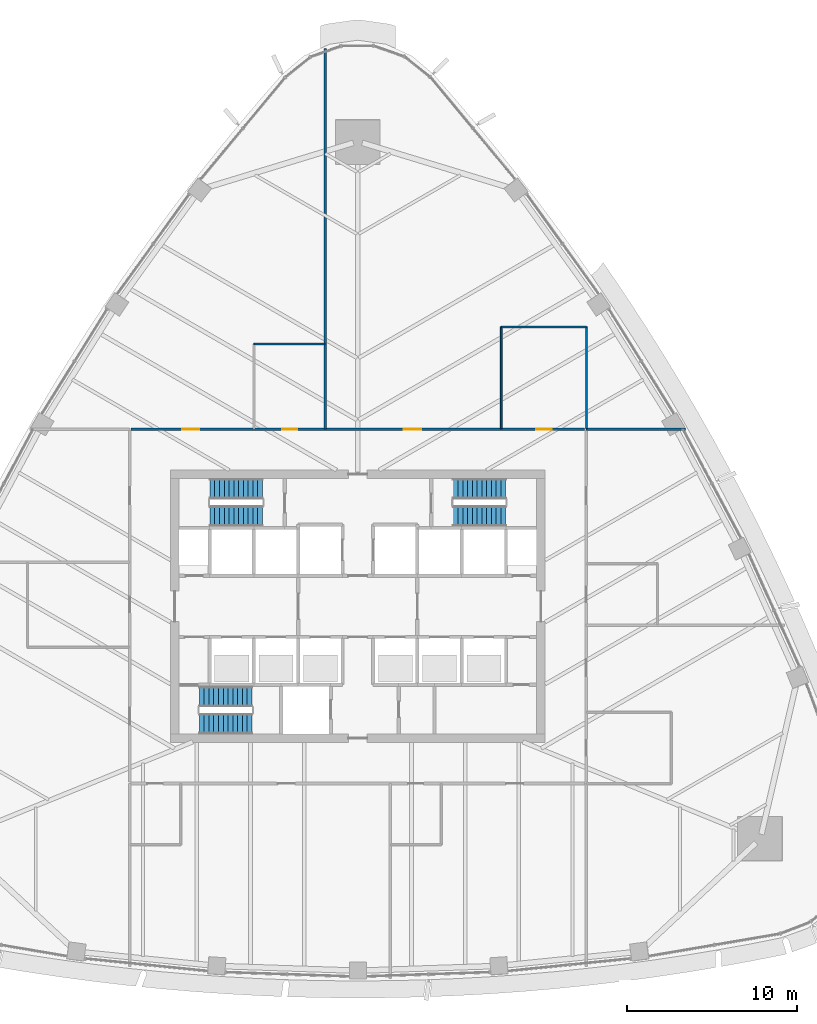
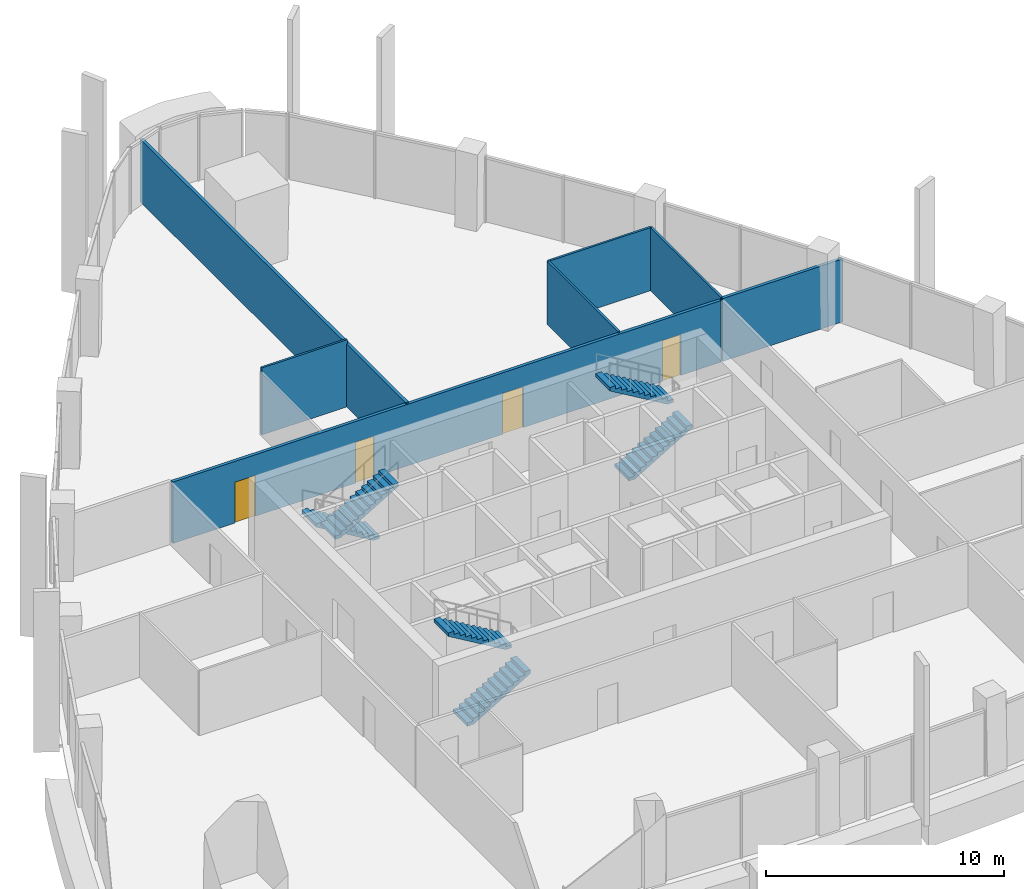
# One storey, part 12 of 19: 7 walls, 6 stair flights, 4 doors, 4 openings, 3 elements without a shape of their own.
"""IFC4 building model written with IfcOpenShell, lengths in metres."""

from ifc_helpers import new_model, si_unit, direction, frame, frame_2d, origin, place, context, subcontext, project, spatial, polyline, rectangle, outline, extrude, material, layer, layer_set, type_object, element, fill, aggregate, save


model = new_model("IFC4")

# Units and contexts
model_context = context("Model", 3, precision=1e-05, world=origin(), true_north=direction((0.0, 1.0)))
body_context = subcontext(model_context, "Body", "Model", "MODEL_VIEW")
ifc_project = project(units=[si_unit("LENGTHUNIT", "METRE"), si_unit("AREAUNIT", "SQUARE_METRE"), si_unit("VOLUMEUNIT", "CUBIC_METRE"), si_unit("PLANEANGLEUNIT", "RADIAN"), si_unit("MASSUNIT", "GRAM", prefix="KILO")], contexts=[model_context])

# Site, building, storey
site_placement = place(None, origin())
site = spatial("IfcSite", under=ifc_project, at=site_placement, CompositionType="ELEMENT")
building_placement = place(site_placement, origin())
building = spatial("IfcBuilding", under=site, at=building_placement, Name="Sierra Prisma Convention Tower", CompositionType="ELEMENT")
storey_placement = place(building_placement, frame((0.0, 0.0, 177.800048828125)))
storey = spatial("IfcBuildingStorey", under=building, at=storey_placement, Name="L39", CompositionType="ELEMENT", Elevation=177.800048828125)

# Walls
ifc_material_1 = material(Name="Gypsum board partition", Category="gypsum")
ifc_layer_1 = layer(ifc_material_1, 0.10009765625)
ifc_layer_set_1 = layer_set([ifc_layer_1], Name="Bathroom partition 100")
wall_type_1 = type_object("IfcWallType", Name="Bathroom partition 100", PredefinedType="PARTITIONING", material=ifc_layer_set_1)
wall_1_placement = place(storey_placement, frame((-6.10009765625, 15.39990234375, 0.0), z_axis=(0.0, 0.0, 1.0), x_axis=(1.0, 0.0, 0.0)))
element("IfcWall", 1, at=wall_1_placement, inside=storey, type_object=wall_type_1, Name="Partition L39 bath 6", PredefinedType="PARTITIONING", context=body_context, shape_type="SweptSolid", body=[
    extrude(rectangle(XDim=4.170166015625, YDim=0.10009765625, at=frame_2d((2.0849609375, 0.0))), origin(), (0.0, 0.0, 1.0), 3.449951171875),
])
wall_2_placement = place(storey_placement, frame((8.419921875, 10.429931640625, 0.0), z_axis=(0.0, 0.0, 1.0), x_axis=(0.0, 1.0, 0.0)))
element("IfcWall", 2, at=wall_2_placement, inside=storey, type_object=wall_type_1, Name="Partition L39 bath 9", PredefinedType="PARTITIONING", context=body_context, shape_type="SweptSolid", body=[
    extrude(rectangle(XDim=5.969970703125, YDim=0.10009765625, at=frame_2d((2.98486328125, 0.0))), origin(), (0.0, 0.0, 1.0), 3.2470703125),
])
wall_3_placement = place(storey_placement, frame((8.419921875, 16.39990234375, 0.0), z_axis=(0.0, 0.0, 1.0), x_axis=(1.0, 0.0, 0.0)))
element("IfcWall", 3, at=wall_3_placement, inside=storey, type_object=wall_type_1, Name="Partition L39 bath 10", PredefinedType="PARTITIONING", context=body_context, shape_type="SweptSolid", body=[
    extrude(rectangle(XDim=5.0, YDim=0.10009765625, at=frame_2d((2.5, 0.0))), origin(), (0.0, 0.0, 1.0), 3.2470703125),
])
wall_4_placement = place(storey_placement, frame((13.419921875, 16.39990234375, 0.0), z_axis=(0.0, 0.0, 1.0), x_axis=(0.0, -1.0, 0.0)))
element("IfcWall", 4, at=wall_4_placement, inside=storey, type_object=wall_type_1, Name="Partition L39 bath 11", PredefinedType="PARTITIONING", context=body_context, shape_type="SweptSolid", body=[
    extrude(rectangle(XDim=5.969970703125, YDim=0.10009765625, at=frame_2d((2.98486328125, 0.0))), origin(), (0.0, 0.0, 1.0), 3.2470703125),
])

# Wall, openings, doors
ifc_material_2 = material(Name="Gypsum board partition", Category="gypsum")
ifc_layer_2 = layer(ifc_material_2, 0.14990234375)
ifc_layer_set_2 = layer_set([ifc_layer_2], Name="Corridor wall 150 gypsum EI 60")
wall_type_2 = type_object("IfcWallType", Name="Corridor wall 150 gypsum EI 60", PredefinedType="PARTITIONING", material=ifc_layer_set_2)
wall_5_placement = place(storey_placement, frame((13.320068359375, 10.39990234375, 0.0), z_axis=(0.0, 0.0, 1.0), x_axis=(-1.0, 0.0, 0.0)))
wall_5 = element("IfcWall", 5, at=wall_5_placement, inside=storey, type_object=wall_type_2, Name="Partition L39 corr 3", PredefinedType="PARTITIONING", context=body_context, shape_type="SweptSolid", body=[
    extrude(rectangle(XDim=26.64013671875, YDim=0.14990234375, at=frame_2d((13.320068359375, 0.0))), origin(), (0.0, 0.0, 1.0), 3.166015625),
])
opening_1_placement = place(wall_5_placement, frame((1.949951171875, 0.0, 0.0)))
opening_1 = element("IfcOpeningElement", 6, at=opening_1_placement, cuts=wall_5, Name="Opening L39-D025", PredefinedType="OPENING", context=body_context, shape_type="SweptSolid", body=[
    extrude(rectangle(XDim=0.89990234375, YDim=2.10009765625, at=frame_2d((0.449951171875, 1.050048828125))), frame((0.0, 0.074951171875, 0.0), z_axis=(0.0, -1.0, 0.0), x_axis=(1.0, 0.0, 0.0)), (0.0, 0.0, 1.0), 0.14990234375),
])
opening_2_placement = place(wall_5_placement, frame((9.610107421875, 0.0, 0.0)))
opening_2 = element("IfcOpeningElement", 7, at=opening_2_placement, cuts=wall_5, Name="Opening L39-D026", PredefinedType="OPENING", context=body_context, shape_type="SweptSolid", body=[
    extrude(rectangle(XDim=1.0, YDim=2.10009765625, at=frame_2d((0.5, 1.050048828125))), frame((0.0, 0.074951171875, 0.0), z_axis=(0.0, -1.0, 0.0), x_axis=(1.0, 0.0, 0.0)), (0.0, 0.0, 1.0), 0.14990234375),
])
opening_3_placement = place(wall_5_placement, frame((16.8701171875, 0.0, 0.0)))
opening_3 = element("IfcOpeningElement", 8, at=opening_3_placement, cuts=wall_5, Name="Opening L39-D027", PredefinedType="OPENING", context=body_context, shape_type="SweptSolid", body=[
    extrude(rectangle(XDim=0.89990234375, YDim=2.10009765625, at=frame_2d((0.449951171875, 1.050048828125))), frame((0.0, 0.074951171875, 0.0), z_axis=(0.0, -1.0, 0.0), x_axis=(1.0, 0.0, 0.0)), (0.0, 0.0, 1.0), 0.14990234375),
])
opening_4_placement = place(wall_5_placement, frame((22.6298828125, 0.0, 0.0)))
opening_4 = element("IfcOpeningElement", 9, at=opening_4_placement, cuts=wall_5, Name="Opening L39-D028", PredefinedType="OPENING", context=body_context, shape_type="SweptSolid", body=[
    extrude(rectangle(XDim=1.0, YDim=2.10009765625, at=frame_2d((0.5, 1.050048828125))), frame((0.0, 0.074951171875, 0.0), z_axis=(0.0, -1.0, 0.0), x_axis=(1.0, 0.0, 0.0)), (0.0, 0.0, 1.0), 0.14990234375),
])
ifc_material_3 = material(Name="Steel fire door leaf", Category="steel")
door_type_1 = type_object("IfcDoorType", Name="Door 1000x2100 FD30S", OperationType="SINGLE_SWING_LEFT", PredefinedType="DOOR", material=ifc_material_3)
door_1_placement = place(opening_2_placement, origin())
door_1 = element("IfcDoor", 10, at=door_1_placement, inside=storey, type_object=door_type_1, Name="Door L39 4", OperationType="SINGLE_SWING_LEFT", OverallHeight=2.10009765625, OverallWidth=1.0, PredefinedType="DOOR", context=body_context, shape_type="SweptSolid", body=[
    extrude(rectangle(XDim=1.0, YDim=2.10009765625, at=frame_2d((0.5, 1.050048828125))), frame((0.0, 0.02490234375, 0.0), z_axis=(0.0, -1.0, 0.0), x_axis=(1.0, 0.0, 0.0)), (0.0, 0.0, 1.0), 0.050048828125),
])
fill(opening_2, door_1)
door_2_placement = place(opening_4_placement, origin())
door_2 = element("IfcDoor", 11, at=door_2_placement, inside=storey, type_object=door_type_1, Name="Door L39 6", OperationType="SINGLE_SWING_LEFT", OverallHeight=2.10009765625, OverallWidth=1.0, PredefinedType="DOOR", context=body_context, shape_type="SweptSolid", body=[
    extrude(rectangle(XDim=1.0, YDim=2.10009765625, at=frame_2d((0.5, 1.050048828125))), frame((0.0, 0.02490234375, 0.0), z_axis=(0.0, -1.0, 0.0), x_axis=(1.0, 0.0, 0.0)), (0.0, 0.0, 1.0), 0.050048828125),
])
fill(opening_4, door_2)
ifc_material_4 = material(Name="Steel fire door leaf", Category="steel")
door_type_2 = type_object("IfcDoorType", Name="Door 900x2100 FD30S", OperationType="SINGLE_SWING_LEFT", PredefinedType="DOOR", material=ifc_material_4)
door_3_placement = place(opening_1_placement, origin())
door_3 = element("IfcDoor", 12, at=door_3_placement, inside=storey, type_object=door_type_2, Name="Door L39 3", OperationType="SINGLE_SWING_LEFT", OverallHeight=2.10009765625, OverallWidth=0.89990234375, PredefinedType="DOOR", context=body_context, shape_type="SweptSolid", body=[
    extrude(rectangle(XDim=0.89990234375, YDim=2.10009765625, at=frame_2d((0.449951171875, 1.050048828125))), frame((0.0, 0.02490234375, 0.0), z_axis=(0.0, -1.0, 0.0), x_axis=(1.0, 0.0, 0.0)), (0.0, 0.0, 1.0), 0.050048828125),
])
fill(opening_1, door_3)
door_4_placement = place(opening_3_placement, origin())
door_4 = element("IfcDoor", 13, at=door_4_placement, inside=storey, type_object=door_type_2, Name="Door L39 5", OperationType="SINGLE_SWING_RIGHT", OverallHeight=2.10009765625, OverallWidth=0.89990234375, PredefinedType="DOOR", context=body_context, shape_type="SweptSolid", body=[
    extrude(rectangle(XDim=0.89990234375, YDim=2.10009765625, at=frame_2d((0.449951171875, 1.050048828125))), frame((0.0, 0.02490234375, 0.0), z_axis=(0.0, -1.0, 0.0), x_axis=(1.0, 0.0, 0.0)), (0.0, 0.0, 1.0), 0.050048828125),
])
fill(opening_3, door_4)

# Walls
ifc_material_5 = material(Name="Gypsum board partition", Category="gypsum")
ifc_layer_3 = layer(ifc_material_5, 0.14990234375)
ifc_layer_set_3 = layer_set([ifc_layer_3], Name="Party wall 150 gypsum")
wall_type_3 = type_object("IfcWallType", Name="Party wall 150 gypsum", PredefinedType="PARTITIONING", material=ifc_layer_set_3)
wall_6_placement = place(storey_placement, frame((-1.89990234375, 10.39990234375, 0.0), z_axis=(0.0, 0.0, 1.0), x_axis=(0.0, 1.0, 0.0)))
element("IfcWall", 14, at=wall_6_placement, inside=storey, type_object=wall_type_3, Name="Partition L39 party 4", PredefinedType="PARTITIONING", context=body_context, shape_type="SweptSolid", body=[
    extrude(rectangle(XDim=22.35693359375, YDim=0.14990234375, at=frame_2d((11.178466796875, 0.0))), origin(), (0.0, 0.0, 1.0), 3.23388671875),
])
wall_7_placement = place(storey_placement, frame((13.39990234375, 10.39990234375, 0.0), z_axis=(0.0, 0.0, 1.0), x_axis=(1.0, 0.0, 0.0)))
element("IfcWall", 15, at=wall_7_placement, inside=storey, type_object=wall_type_3, Name="Partition L39 party 8", PredefinedType="PARTITIONING", context=body_context, shape_type="SweptSolid", body=[
    extrude(rectangle(XDim=5.84521484375, YDim=0.14990234375, at=frame_2d((2.922607421875, 0.0))), origin(), (0.0, 0.0, 1.0), 3.23388671875),
])

# Stair, stair flights
ifc_material_6 = material(Name="Concrete C30/37", Category="concrete")
stair_type = type_object("IfcStairType", Name="Stair dog-leg 1200 RC", PredefinedType="HALF_TURN_STAIR", material=ifc_material_6)
stair_1_placement = place(storey_placement, origin())
stair_1 = element("IfcStair", 16, at=stair_1_placement, inside=storey, type_object=stair_type, Name="L39 S1", PredefinedType="HALF_TURN_STAIR")
ifc_material_7 = material(Name="Concrete C30/37", Category="concrete")
stair_flight_type = type_object("IfcStairFlightType", Name="Stair flight RC 1200", PredefinedType="STRAIGHT", material=ifc_material_7)
stair_flight_1_placement = place(storey_placement, frame((-9.300048828125, -6.89990234375, 0.0), z_axis=(0.0, 0.0, 1.0), x_axis=(1.0, 0.0, 0.0)))
stair_flight_1 = element("IfcStairFlight", 17, at=stair_flight_1_placement, type_object=stair_flight_type, Name="S1 flight 1", NumberOfRisers=12, NumberOfTreads=11, PredefinedType="STRAIGHT", RiserHeight=0.166666667, TreadLength=0.28, context=body_context, shape_type="SweptSolid", body=[
    extrude(outline(polyline([(0.0, 0.0), (0.0, 0.166748046875), (0.280029296875, 0.166748046875), (0.280029296875, 0.333251953125), (0.56005859375, 0.333251953125), (0.56005859375, 0.5), (0.840087890625, 0.5), (0.840087890625, 0.666748046875), (1.1201171875, 0.666748046875), (1.1201171875, 0.833251953125), (1.39990234375, 0.833251953125), (1.39990234375, 1.0), (1.679931640625, 1.0), (1.679931640625, 1.166748046875), (1.9599609375, 1.166748046875), (1.9599609375, 1.333251953125), (2.239990234375, 1.333251953125), (2.239990234375, 1.5), (2.52001953125, 1.5), (2.52001953125, 1.666748046875), (2.800048828125, 1.666748046875), (2.800048828125, 1.833251953125), (3.080078125, 1.833251953125), (3.080078125, 2.0), (3.080078125, 1.658935546875), (0.29296875, 0.0), (0.0, 0.0)])), frame((0.0, 0.60009765625, 0.0), z_axis=(0.0, -1.0, 0.0), x_axis=(1.0, 0.0, 0.0)), (0.0, 0.0, 1.0), 1.199951171875),
])
stair_flight_2_placement = place(storey_placement, frame((-6.219970703125, -5.300048828125, 2.0), z_axis=(0.0, 0.0, 1.0), x_axis=(-1.0, 0.0, 0.0)))
stair_flight_2 = element("IfcStairFlight", 18, at=stair_flight_2_placement, type_object=stair_flight_type, Name="S1 flight 2", NumberOfRisers=12, NumberOfTreads=11, PredefinedType="STRAIGHT", RiserHeight=0.166666667, TreadLength=0.28, context=body_context, shape_type="SweptSolid", body=[
    extrude(outline(polyline([(0.0, 0.0), (0.0, 0.166748046875), (0.280029296875, 0.166748046875), (0.280029296875, 0.333251953125), (0.56005859375, 0.333251953125), (0.56005859375, 0.5), (0.840087890625, 0.5), (0.840087890625, 0.666748046875), (1.1201171875, 0.666748046875), (1.1201171875, 0.833251953125), (1.39990234375, 0.833251953125), (1.39990234375, 1.0), (1.679931640625, 1.0), (1.679931640625, 1.166748046875), (1.9599609375, 1.166748046875), (1.9599609375, 1.333251953125), (2.239990234375, 1.333251953125), (2.239990234375, 1.5), (2.52001953125, 1.5), (2.52001953125, 1.666748046875), (2.800048828125, 1.666748046875), (2.800048828125, 1.833251953125), (3.080078125, 1.833251953125), (3.080078125, 2.0), (3.080078125, 1.658935546875), (0.29296875, 0.0), (0.0, 0.0)])), frame((0.0, 0.60009765625, 0.0), z_axis=(0.0, -1.0, 0.0), x_axis=(1.0, 0.0, 0.0)), (0.0, 0.0, 1.0), 1.199951171875),
])
aggregate(stair_1, [stair_flight_1, stair_flight_2])

stair_2_placement = place(storey_placement, origin())
stair_2 = element("IfcStair", 19, at=stair_2_placement, inside=storey, type_object=stair_type, Name="L39 S3", PredefinedType="HALF_TURN_STAIR")
stair_flight_3_placement = place(storey_placement, frame((-5.60009765625, 6.89990234375, 0.0), z_axis=(0.0, 0.0, 1.0), x_axis=(-1.0, 0.0, 0.0)))
stair_flight_3 = element("IfcStairFlight", 20, at=stair_flight_3_placement, type_object=stair_flight_type, Name="S3 flight 1", NumberOfRisers=12, NumberOfTreads=11, PredefinedType="STRAIGHT", RiserHeight=0.166666667, TreadLength=0.28, context=body_context, shape_type="SweptSolid", body=[
    extrude(outline(polyline([(0.0, 0.0), (0.0, 0.166748046875), (0.280029296875, 0.166748046875), (0.280029296875, 0.333251953125), (0.56005859375, 0.333251953125), (0.56005859375, 0.5), (0.840087890625, 0.5), (0.840087890625, 0.666748046875), (1.1201171875, 0.666748046875), (1.1201171875, 0.833251953125), (1.39990234375, 0.833251953125), (1.39990234375, 1.0), (1.679931640625, 1.0), (1.679931640625, 1.166748046875), (1.9599609375, 1.166748046875), (1.9599609375, 1.333251953125), (2.239990234375, 1.333251953125), (2.239990234375, 1.5), (2.52001953125, 1.5), (2.52001953125, 1.666748046875), (2.800048828125, 1.666748046875), (2.800048828125, 1.833251953125), (3.080078125, 1.833251953125), (3.080078125, 2.0), (3.080078125, 1.658935546875), (0.29296875, 0.0), (0.0, 0.0)])), frame((0.0, 0.60009765625, 0.0), z_axis=(0.0, -1.0, 0.0), x_axis=(1.0, 0.0, 0.0)), (0.0, 0.0, 1.0), 1.199951171875),
])
stair_flight_4_placement = place(storey_placement, frame((-8.679931640625, 5.300048828125, 2.0), z_axis=(0.0, 0.0, 1.0), x_axis=(1.0, 0.0, 0.0)))
stair_flight_4 = element("IfcStairFlight", 21, at=stair_flight_4_placement, type_object=stair_flight_type, Name="S3 flight 2", NumberOfRisers=12, NumberOfTreads=11, PredefinedType="STRAIGHT", RiserHeight=0.166666667, TreadLength=0.28, context=body_context, shape_type="SweptSolid", body=[
    extrude(outline(polyline([(0.0, 0.0), (0.0, 0.166748046875), (0.280029296875, 0.166748046875), (0.280029296875, 0.333251953125), (0.56005859375, 0.333251953125), (0.56005859375, 0.5), (0.840087890625, 0.5), (0.840087890625, 0.666748046875), (1.1201171875, 0.666748046875), (1.1201171875, 0.833251953125), (1.39990234375, 0.833251953125), (1.39990234375, 1.0), (1.679931640625, 1.0), (1.679931640625, 1.166748046875), (1.9599609375, 1.166748046875), (1.9599609375, 1.333251953125), (2.239990234375, 1.333251953125), (2.239990234375, 1.5), (2.52001953125, 1.5), (2.52001953125, 1.666748046875), (2.800048828125, 1.666748046875), (2.800048828125, 1.833251953125), (3.080078125, 1.833251953125), (3.080078125, 2.0), (3.080078125, 1.658935546875), (0.29296875, 0.0), (0.0, 0.0)])), frame((0.0, 0.60009765625, 0.0), z_axis=(0.0, -1.0, 0.0), x_axis=(1.0, 0.0, 0.0)), (0.0, 0.0, 1.0), 1.199951171875),
])
aggregate(stair_2, [stair_flight_3, stair_flight_4])

stair_3_placement = place(storey_placement, origin())
stair_3 = element("IfcStair", 22, at=stair_3_placement, inside=storey, type_object=stair_type, Name="L39 S4", PredefinedType="HALF_TURN_STAIR")
stair_flight_5_placement = place(storey_placement, frame((5.60009765625, 5.300048828125, 0.0), z_axis=(0.0, 0.0, 1.0), x_axis=(1.0, 0.0, 0.0)))
stair_flight_5 = element("IfcStairFlight", 23, at=stair_flight_5_placement, type_object=stair_flight_type, Name="S4 flight 1", NumberOfRisers=12, NumberOfTreads=11, PredefinedType="STRAIGHT", RiserHeight=0.166666667, TreadLength=0.28, context=body_context, shape_type="SweptSolid", body=[
    extrude(outline(polyline([(0.0, 0.0), (0.0, 0.166748046875), (0.280029296875, 0.166748046875), (0.280029296875, 0.333251953125), (0.56005859375, 0.333251953125), (0.56005859375, 0.5), (0.840087890625, 0.5), (0.840087890625, 0.666748046875), (1.1201171875, 0.666748046875), (1.1201171875, 0.833251953125), (1.39990234375, 0.833251953125), (1.39990234375, 1.0), (1.679931640625, 1.0), (1.679931640625, 1.166748046875), (1.9599609375, 1.166748046875), (1.9599609375, 1.333251953125), (2.239990234375, 1.333251953125), (2.239990234375, 1.5), (2.52001953125, 1.5), (2.52001953125, 1.666748046875), (2.800048828125, 1.666748046875), (2.800048828125, 1.833251953125), (3.080078125, 1.833251953125), (3.080078125, 2.0), (3.080078125, 1.658935546875), (0.29296875, 0.0), (0.0, 0.0)])), frame((0.0, 0.60009765625, 0.0), z_axis=(0.0, -1.0, 0.0), x_axis=(1.0, 0.0, 0.0)), (0.0, 0.0, 1.0), 1.199951171875),
])
stair_flight_6_placement = place(storey_placement, frame((8.679931640625, 6.89990234375, 2.0), z_axis=(0.0, 0.0, 1.0), x_axis=(-1.0, 0.0, 0.0)))
stair_flight_6 = element("IfcStairFlight", 24, at=stair_flight_6_placement, type_object=stair_flight_type, Name="S4 flight 2", NumberOfRisers=12, NumberOfTreads=11, PredefinedType="STRAIGHT", RiserHeight=0.166666667, TreadLength=0.28, context=body_context, shape_type="SweptSolid", body=[
    extrude(outline(polyline([(0.0, 0.0), (0.0, 0.166748046875), (0.280029296875, 0.166748046875), (0.280029296875, 0.333251953125), (0.56005859375, 0.333251953125), (0.56005859375, 0.5), (0.840087890625, 0.5), (0.840087890625, 0.666748046875), (1.1201171875, 0.666748046875), (1.1201171875, 0.833251953125), (1.39990234375, 0.833251953125), (1.39990234375, 1.0), (1.679931640625, 1.0), (1.679931640625, 1.166748046875), (1.9599609375, 1.166748046875), (1.9599609375, 1.333251953125), (2.239990234375, 1.333251953125), (2.239990234375, 1.5), (2.52001953125, 1.5), (2.52001953125, 1.666748046875), (2.800048828125, 1.666748046875), (2.800048828125, 1.833251953125), (3.080078125, 1.833251953125), (3.080078125, 2.0), (3.080078125, 1.658935546875), (0.29296875, 0.0), (0.0, 0.0)])), frame((0.0, 0.60009765625, 0.0), z_axis=(0.0, -1.0, 0.0), x_axis=(1.0, 0.0, 0.0)), (0.0, 0.0, 1.0), 1.199951171875),
])
aggregate(stair_3, [stair_flight_5, stair_flight_6])

save(model, "model.ifc")
